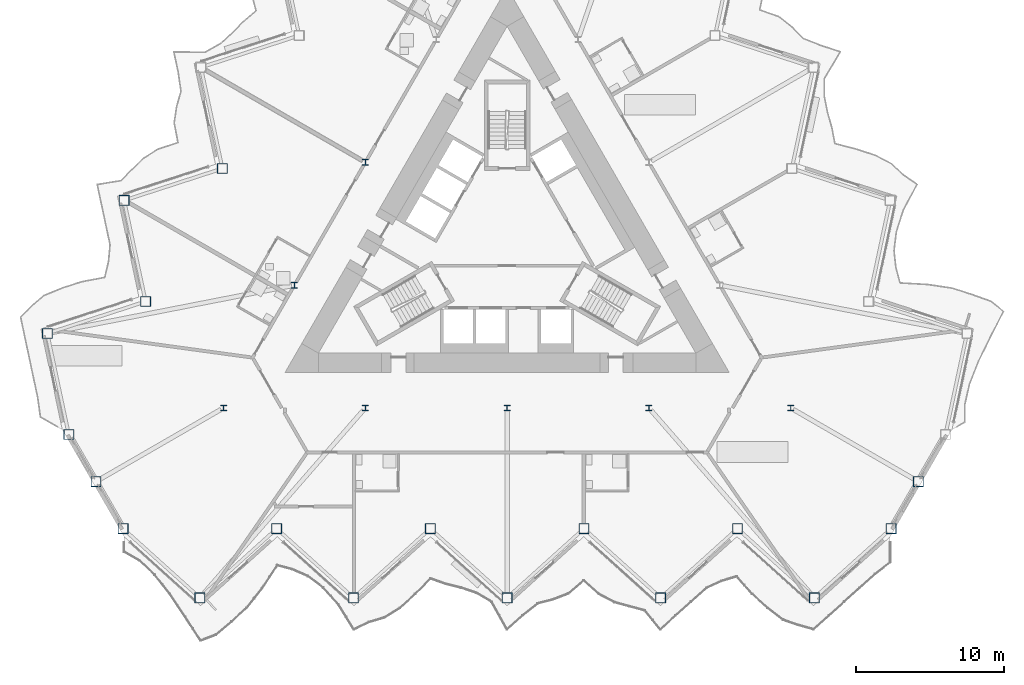
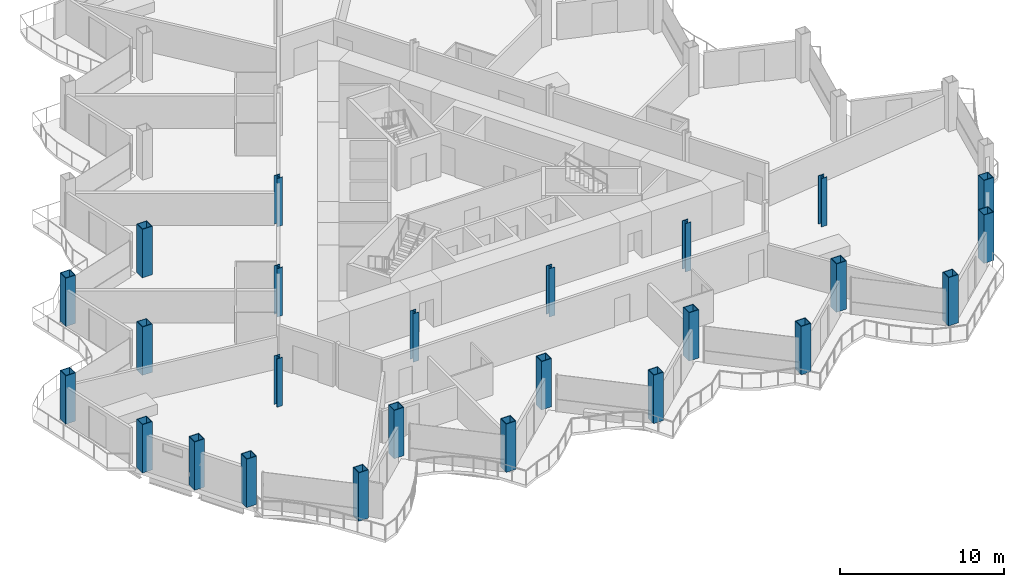
# One storey, part 1 of 23: 25 columns.
"""IFC4 building model written with IfcOpenShell, lengths in metres."""

from ifc_helpers import new_model, si_unit, direction, frame, origin, origin_2d, place, context, subcontext, project, spatial, hollow_rectangle, i_section, extrude, material, material_profile, profile_set, type_object, element, save


model = new_model("IFC4")

# Units and contexts
model_context = context("Model", 3, precision=1e-05, world=origin(), true_north=direction((0.0, 1.0)))
body_context = subcontext(model_context, "Body", "Model", "MODEL_VIEW")
ifc_project = project(units=[si_unit("LENGTHUNIT", "METRE"), si_unit("AREAUNIT", "SQUARE_METRE"), si_unit("VOLUMEUNIT", "CUBIC_METRE"), si_unit("PLANEANGLEUNIT", "RADIAN"), si_unit("MASSUNIT", "GRAM", prefix="KILO")], contexts=[model_context])

# Site, building, storey
site_placement = place(None, origin())
site = spatial("IfcSite", under=ifc_project, at=site_placement, CompositionType="ELEMENT")
building_placement = place(site_placement, origin())
building = spatial("IfcBuilding", under=site, at=building_placement, Name="Cormorant Prow Tower", CompositionType="ELEMENT")
storey_placement = place(building_placement, frame((0.0, 0.0, 245.39990234375)))
storey = spatial("IfcBuildingStorey", under=building, at=storey_placement, Name="L54", CompositionType="ELEMENT", Elevation=245.39990234375)

# Columns
ifc_material_1 = material(Name="Structural steel ASTM A572 Gr 50", Category="steel")
ifc_material_profile_1 = material_profile(ifc_material_1, hollow_rectangle(XDim=0.699951171875, YDim=0.699951171875, WallThickness=0.044921875, at=origin_2d()), Name="Box 700x700x45")
ifc_profile_set_1 = profile_set([ifc_material_profile_1], Name="Structural steel ASTM A572 Gr 50")
column_type_1 = type_object("IfcColumnType", Name="Perimeter box column 700x700x45", PredefinedType="COLUMN", material=ifc_profile_set_1)
for number, where, z_axis, x_axis, name in (
    (1, (-25.941162109375, -19.21533203125, 0.0), (0.0, 0.0, 1.0), (1.0, 0.0, 0.0), "Perimeter column C5 at S00 L54"),
    (2, (-20.7529296875, -23.886962890625, 0.0), (0.0, 0.0, 1.0), (1.0, 0.0, 0.0), "Perimeter column C5 at S01 L54"),
    (3, (-15.564697265625, -19.21533203125, 0.0), (0.0, 0.0, 1.0), (1.0, 0.0, 0.0), "Perimeter column C5 at S02 L54"),
    (4, (-10.37646484375, -23.886962890625, 0.0), (0.0, 0.0, 1.0), (1.0, 0.0, 0.0), "Perimeter column C5 at S03 L54"),
    (5, (-5.188232421875, -19.21533203125, 0.0), (0.0, 0.0, 1.0), (1.0, 0.0, 0.0), "Perimeter column C5 at S04 L54"),
    (6, (0.0, -23.886962890625, 0.0), (0.0, 0.0, 1.0), (1.0, 0.0, 0.0), "Perimeter column C5 at S05 L54"),
    (7, (5.188232421875, -19.21533203125, 0.0), (0.0, 0.0, 1.0), (1.0, 0.0, 0.0), "Perimeter column C5 at S06 L54"),
    (8, (10.37646484375, -23.886962890625, 0.0), (0.0, 0.0, 1.0), (1.0, 0.0, 0.0), "Perimeter column C5 at S07 L54"),
    (9, (15.564697265625, -19.21533203125, 0.0), (0.0, 0.0, 1.0), (1.0, 0.0, 0.0), "Perimeter column C5 at S08 L54"),
    (10, (20.7529296875, -23.886962890625, 0.0), (0.0, 0.0, 1.0), (1.0, 0.0, 0.0), "Perimeter column C5 at S09 L54"),
    (11, (25.941162109375, -19.21533203125, 0.0), (0.0, 0.0, 1.0), (1.0, 0.0, 0.0), "Perimeter column C5 at ESE00 L54"),
    (12, (27.7763671875, -16.03662109375, 0.0), (0.0, 0.0, 1.0), (1.0, 0.0, 0.0), "Perimeter column C5 at ESE01 L54"),
    (13, (-19.235107421875, 5.114501953125, 0.0), (0.0, 0.0, 1.0), (1.0, 0.0, 0.0), "Perimeter column C5 at WNW06 L54"),
    (14, (-25.875, 2.957275390625, 0.0), (0.0, 0.0, 1.0), (1.0, 0.0, 0.0), "Perimeter column C5 at WNW07 L54"),
    (15, (-24.42333984375, -3.871826171875, 0.0), (0.0, 0.0, 1.0), (1.0, 0.0, 0.0), "Perimeter column C5 at WNW08 L54"),
    (16, (-31.063232421875, -6.029052734375, 0.0), (0.0, 0.0, 1.0), (1.0, 0.0, 0.0), "Perimeter column C5 at WNW09 L54"),
    (17, (-29.611572265625, -12.858154296875, 0.0), (0.0, 0.0, 1.0), (1.0, 0.0, 0.0), "Perimeter column C5 at WSW00 L54"),
    (18, (-27.7763671875, -16.03662109375, 0.0), (0.0, 0.0, 1.0), (1.0, 0.0, 0.0), "Perimeter column C5 at WSW01 L54"),
):
    element("IfcColumn", number, at=place(storey_placement, frame(where, z_axis=z_axis, x_axis=x_axis)), inside=storey, type_object=column_type_1, Name=name, PredefinedType="COLUMN", context=body_context, shape_type="SweptSolid", body=[
        extrude(hollow_rectangle(XDim=0.699951171875, YDim=0.699951171875, WallThickness=0.044921875, at=origin_2d()), origin(), (0.0, 0.0, 1.0), 3.60009765625),
    ])
ifc_material_2 = material(Name="Structural steel ASTM A992 Gr 50", Category="steel")
ifc_material_profile_2 = material_profile(ifc_material_2, i_section(OverallWidth=0.39892578125, OverallDepth=0.393310546875, WebThickness=0.022705078125, FlangeThickness=0.03662109375, at=origin_2d()), Name="W14x193")
ifc_profile_set_2 = profile_set([ifc_material_profile_2], Name="Structural steel ASTM A992 Gr 50")
column_type_2 = type_object("IfcColumnType", Name="Ring column W14x193", PredefinedType="COLUMN", material=ifc_profile_set_2)
for number, where, z_axis, x_axis, name in (
    (19, (-9.578369140625, 5.530029296875, 0.0), (0.0, 0.0, 1.0), (1.0, 0.0, 0.0), "Ring column 3 L54"),
    (20, (-14.36767578125, -2.76513671875, 0.0), (0.0, 0.0, 1.0), (1.0, 0.0, 0.0), "Ring column 4 L54"),
    (21, (-19.156982421875, -11.060302734375, 0.0), (0.0, 0.0, 1.0), (1.0, 0.0, 0.0), "Ring column 5 L54"),
    (22, (-9.578369140625, -11.060302734375, 0.0), (0.0, 0.0, 1.0), (1.0, 0.0, 0.0), "Ring column 6 L54"),
    (23, (0.0, -11.060302734375, 0.0), (0.0, 0.0, 1.0), (1.0, 0.0, 0.0), "Ring column 7 L54"),
    (24, (9.578369140625, -11.060302734375, 0.0), (0.0, 0.0, 1.0), (1.0, 0.0, 0.0), "Ring column 8 L54"),
    (25, (19.156982421875, -11.060302734375, 0.0), (0.0, 0.0, 1.0), (1.0, 0.0, 0.0), "Ring column 9 L54"),
):
    element("IfcColumn", number, at=place(storey_placement, frame(where, z_axis=z_axis, x_axis=x_axis)), inside=storey, type_object=column_type_2, Name=name, PredefinedType="COLUMN", context=body_context, shape_type="SweptSolid", body=[
        extrude(i_section(OverallWidth=0.39892578125, OverallDepth=0.393310546875, WebThickness=0.022705078125, FlangeThickness=0.03662109375, at=origin_2d()), origin(), (0.0, 0.0, 1.0), 3.60009765625),
    ])

save(model, "model.ifc")
